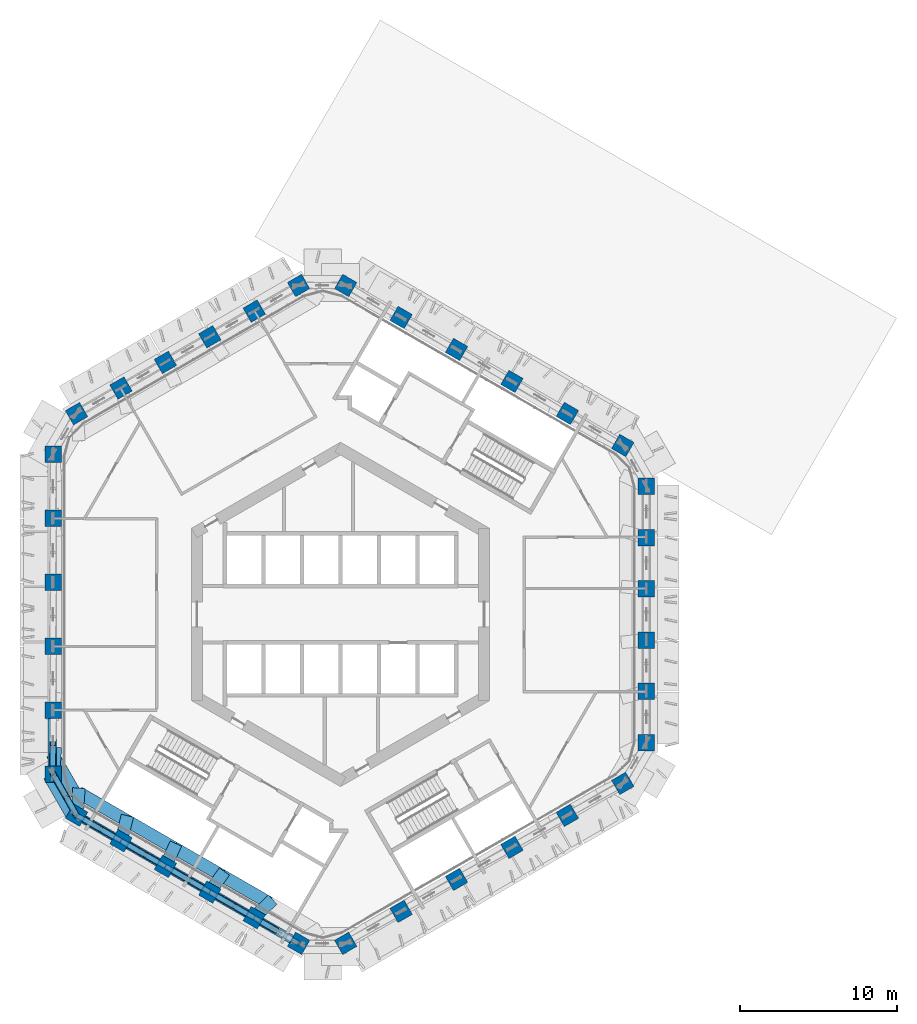
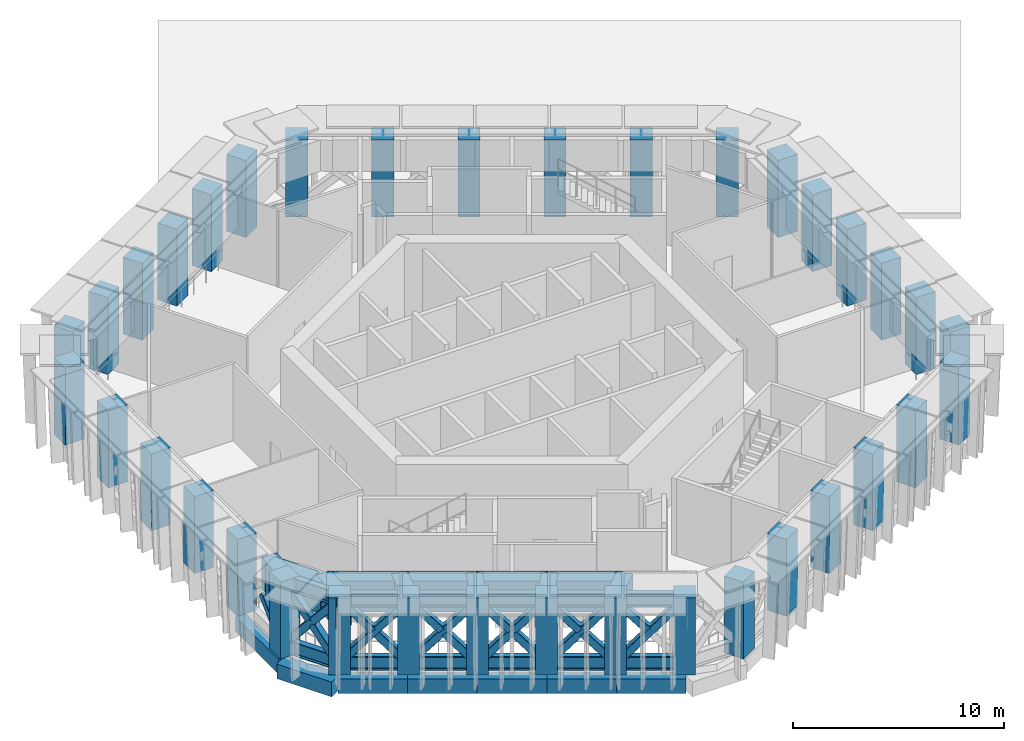
# One storey, part 1 of 18: 36 columns, 30 members, 18 beams.
"""IFC4 building model written with IfcOpenShell, lengths in metres."""

from ifc_helpers import new_model, si_unit, direction, frame, origin, origin_2d, place, context, subcontext, project, spatial, rectangle, hollow_rectangle, i_section, extrude, material, material_profile, profile_set, type_object, element, save


model = new_model("IFC4")

# Units and contexts
model_context = context("Model", 3, precision=1e-05, world=origin(), true_north=direction((0.0, 1.0)))
body_context = subcontext(model_context, "Body", "Model", "MODEL_VIEW")
ifc_project = project(units=[si_unit("LENGTHUNIT", "METRE"), si_unit("AREAUNIT", "SQUARE_METRE"), si_unit("VOLUMEUNIT", "CUBIC_METRE"), si_unit("PLANEANGLEUNIT", "RADIAN"), si_unit("MASSUNIT", "GRAM", prefix="KILO")], contexts=[model_context])

# Site, building, storey
site_placement = place(None, origin())
site = spatial("IfcSite", under=ifc_project, at=site_placement, CompositionType="ELEMENT")
building_placement = place(site_placement, origin())
building = spatial("IfcBuilding", under=site, at=building_placement, Name="Ayvan Gate Tower", CompositionType="ELEMENT")
storey_placement = place(building_placement, frame((0.0, 0.0, 147.89990234375)))
storey = spatial("IfcBuildingStorey", under=building, at=storey_placement, Name="L39", CompositionType="ELEMENT", Elevation=147.89990234375)

# Columns
ifc_material_1 = material(Name="Concrete C60/75", Category="concrete")
ifc_material_profile_1 = material_profile(ifc_material_1, rectangle(XDim=1.050048828125, YDim=1.050048828125, at=origin_2d()), Name="RC 1050x1050")
ifc_profile_set_1 = profile_set([ifc_material_profile_1], Name="Concrete C60/75")
column_type = type_object("IfcColumnType", Name="Tube column RC 1050x1050 C60/75", PredefinedType="COLUMN", material=ifc_profile_set_1)
for number, where, z_axis, x_axis, name in (
    (1, (19.485595703125, -8.1669921875, 0.0), (0.0, 0.0, 1.0), (1.0, 0.0, 0.0), "C-T0-0-L39"),
    (2, (19.485595703125, -4.900146484375, 0.0), (0.0, 0.0, 1.0), (1.0, 0.0, 0.0), "C-T0-1-L39"),
    (3, (19.485595703125, -1.63330078125, 0.0), (0.0, 0.0, 1.0), (1.0, 0.0, 0.0), "C-T0-2-L39"),
    (4, (19.485595703125, 1.63330078125, 0.0), (0.0, 0.0, 1.0), (1.0, 0.0, 0.0), "C-T0-3-L39"),
    (5, (19.485595703125, 4.900146484375, 0.0), (0.0, 0.0, 1.0), (1.0, 0.0, 0.0), "C-T0-4-L39"),
    (6, (19.485595703125, 8.1669921875, 0.0), (0.0, 0.0, 1.0), (1.0, 0.0, 0.0), "C-T0-5-L39"),
    (7, (17.985595703125, 10.76513671875, 0.0), (0.0, 0.0, 1.0), (0.5, 0.866025403784, 0.0), "C-T1-0-L39"),
    (8, (14.45458984375, 12.8037109375, 0.0), (0.0, 0.0, 1.0), (0.5, 0.866025403784, 0.0), "C-T1-1-L39"),
    (9, (10.92333984375, 14.842529296875, 0.0), (0.0, 0.0, 1.0), (0.5, 0.866025403784, 0.0), "C-T1-2-L39"),
    (10, (7.392333984375, 16.881103515625, 0.0), (0.0, 0.0, 1.0), (0.5, 0.866025403784, 0.0), "C-T1-3-L39"),
    (11, (3.861083984375, 18.919921875, 0.0), (0.0, 0.0, 1.0), (0.5, 0.866025403784, 0.0), "C-T1-4-L39"),
    (12, (0.330078125, 20.95849609375, 0.0), (0.0, 0.0, 1.0), (0.5, 0.866025403784, 0.0), "C-T1-5-L39"),
    (13, (-2.669921875, 20.95849609375, 0.0), (0.0, 0.0, 1.0), (-0.5, 0.866025403784, 0.0), "C-T2-0-L39"),
    (14, (-5.4990234375, 19.3251953125, 0.0), (0.0, 0.0, 1.0), (-0.5, 0.866025403784, 0.0), "C-T2-1-L39"),
    (15, (-8.328125, 17.691650390625, 0.0), (0.0, 0.0, 1.0), (-0.5, 0.866025403784, 0.0), "C-T2-2-L39"),
    (16, (-11.157470703125, 16.058349609375, 0.0), (0.0, 0.0, 1.0), (-0.5, 0.866025403784, 0.0), "C-T2-3-L39"),
    (17, (-13.986572265625, 14.4248046875, 0.0), (0.0, 0.0, 1.0), (-0.5, 0.866025403784, 0.0), "C-T2-4-L39"),
    (18, (-16.815673828125, 12.79150390625, 0.0), (0.0, 0.0, 1.0), (-0.5, 0.866025403784, 0.0), "C-T2-5-L39"),
    (19, (-18.315673828125, 10.193359375, 0.0), (0.0, 0.0, 1.0), (-1.0, 0.0, 0.0), "C-T3-0-L39"),
    (20, (-18.315673828125, 6.115966796875, 0.0), (0.0, 0.0, 1.0), (-1.0, 0.0, 0.0), "C-T3-1-L39"),
    (21, (-18.315673828125, 2.03857421875, 0.0), (0.0, 0.0, 1.0), (-1.0, 0.0, 0.0), "C-T3-2-L39"),
    (22, (-18.315673828125, -2.03857421875, 0.0), (0.0, 0.0, 1.0), (-1.0, 0.0, 0.0), "C-T3-3-L39"),
    (23, (-18.315673828125, -6.115966796875, 0.0), (0.0, 0.0, 1.0), (-1.0, 0.0, 0.0), "C-T3-4-L39"),
    (24, (-18.315673828125, -10.193359375, 0.0), (0.0, 0.0, 1.0), (-1.0, 0.0, 0.0), "C-T3-5-L39"),
    (25, (-16.815673828125, -12.79150390625, 0.0), (0.0, 0.0, 1.0), (-0.5, -0.866025403784, 0.0), "C-T4-0-L39"),
    (26, (-13.986572265625, -14.4248046875, 0.0), (0.0, 0.0, 1.0), (-0.5, -0.866025403784, 0.0), "C-T4-1-L39"),
    (27, (-11.157470703125, -16.058349609375, 0.0), (0.0, 0.0, 1.0), (-0.5, -0.866025403784, 0.0), "C-T4-2-L39"),
    (28, (-8.328125, -17.691650390625, 0.0), (0.0, 0.0, 1.0), (-0.5, -0.866025403784, 0.0), "C-T4-3-L39"),
    (29, (-5.4990234375, -19.3251953125, 0.0), (0.0, 0.0, 1.0), (-0.5, -0.866025403784, 0.0), "C-T4-4-L39"),
    (30, (-2.669921875, -20.95849609375, 0.0), (0.0, 0.0, 1.0), (-0.5, -0.866025403784, 0.0), "C-T4-5-L39"),
    (31, (0.330078125, -20.95849609375, 0.0), (0.0, 0.0, 1.0), (0.5, -0.866025403784, 0.0), "C-T5-0-L39"),
    (32, (3.861083984375, -18.919921875, 0.0), (0.0, 0.0, 1.0), (0.5, -0.866025403784, 0.0), "C-T5-1-L39"),
    (33, (7.392333984375, -16.881103515625, 0.0), (0.0, 0.0, 1.0), (0.5, -0.866025403784, 0.0), "C-T5-2-L39"),
    (34, (10.92333984375, -14.842529296875, 0.0), (0.0, 0.0, 1.0), (0.5, -0.866025403784, 0.0), "C-T5-3-L39"),
    (35, (14.45458984375, -12.8037109375, 0.0), (0.0, 0.0, 1.0), (0.5, -0.866025403784, 0.0), "C-T5-4-L39"),
    (36, (17.985595703125, -10.76513671875, 0.0), (0.0, 0.0, 1.0), (0.5, -0.866025403784, 0.0), "C-T5-5-L39"),
):
    element("IfcColumn", number, at=place(storey_placement, frame(where, z_axis=z_axis, x_axis=x_axis)), inside=storey, type_object=column_type, Name=name, PredefinedType="COLUMN", context=body_context, shape_type="SweptSolid", body=[
        extrude(rectangle(XDim=1.050048828125, YDim=1.050048828125, at=origin_2d()), origin(), (0.0, 0.0, 1.0), 4.4501953125),
    ])

# Members
ifc_material_2 = material(Name="Steel S460NH", Category="steel")
ifc_material_profile_2 = material_profile(ifc_material_2, hollow_rectangle(XDim=0.39990234375, YDim=0.39990234375, WallThickness=0.02001953125, InnerFilletRadius=0.02001953125, OuterFilletRadius=0.030029296875, at=origin_2d()), Name="RHS 400x400x20")
ifc_profile_set_2 = profile_set([ifc_material_profile_2], Name="Steel S460NH")
member_type_1 = type_object("IfcMemberType", Name="Belt truss brace BT2 RHS 400x400x20", PredefinedType="BRACE", material=ifc_profile_set_2)
member_1_placement = place(storey_placement, frame((-18.347412109375, -10.175048828125, 0.400146484375), z_axis=(0.011651317823, 0.742608392765, 0.669624537922), x_axis=(-0.999876939061, 0.015687789304, 0.0)))
element("IfcMember", 37, at=member_1_placement, inside=storey, type_object=member_type_1, Name="BT2-DB-23", PredefinedType="BRACE", context=body_context, shape_type="SweptSolid", body=[
    extrude(hollow_rectangle(XDim=0.39990234375, YDim=0.39990234375, WallThickness=0.02001953125, InnerFilletRadius=0.02001953125, OuterFilletRadius=0.030029296875, at=origin_2d()), origin(), (0.0, 0.0, 1.0), 2.619140625),
])
member_2_placement = place(storey_placement, frame((-18.347412109375, -10.175048828125, 0.400146484375), z_axis=(0.32814076495, -0.552895415353, 0.76591794473), x_axis=(0.859950924847, 0.510376730323, 0.0)))
element("IfcMember", 38, at=member_2_placement, inside=storey, type_object=member_type_1, Name="BT2-DA-24", PredefinedType="BRACE", context=body_context, shape_type="SweptSolid", body=[
    extrude(hollow_rectangle(XDim=0.39990234375, YDim=0.39990234375, WallThickness=0.02001953125, InnerFilletRadius=0.02001953125, OuterFilletRadius=0.030029296875, at=origin_2d()), origin(), (0.0, 0.0, 1.0), 4.765380859375),
])
member_3_placement = place(storey_placement, frame((-16.847412109375, -12.773193359375, 0.400146484375), z_axis=(-0.306580036, 0.546739850753, 0.779156092914), x_axis=(-0.872229945423, -0.48909602565, 0.0)))
element("IfcMember", 39, at=member_3_placement, inside=storey, type_object=member_type_1, Name="BT2-DB-24", PredefinedType="BRACE", context=body_context, shape_type="SweptSolid", body=[
    extrude(hollow_rectangle(XDim=0.39990234375, YDim=0.39990234375, WallThickness=0.02001953125, InnerFilletRadius=0.02001953125, OuterFilletRadius=0.030029296875, at=origin_2d()), origin(), (0.0, 0.0, 1.0), 2.238525390625),
])
member_4_placement = place(storey_placement, frame((-17.597412109375, -11.435546875, 2.305908203125), z_axis=(-0.306598317134, 0.546663381529, 0.7792025534), x_axis=(-0.87218831408, -0.489170261548, 0.0)))
element("IfcMember", 40, at=member_4_placement, inside=storey, type_object=member_type_1, Name="BT2-DC-24", PredefinedType="BRACE", context=body_context, shape_type="SweptSolid", body=[
    extrude(hollow_rectangle(XDim=0.39990234375, YDim=0.39990234375, WallThickness=0.02001953125, InnerFilletRadius=0.02001953125, OuterFilletRadius=0.030029296875, at=origin_2d()), origin(), (0.0, 0.0, 1.0), 2.23828125),
])
member_5_placement = place(storey_placement, frame((-16.847412109375, -12.773193359375, 0.400146484375), z_axis=(0.583280306316, -0.33675698621, 0.739174415481), x_axis=(0.499999938025, 0.866025439566, 0.0)))
element("IfcMember", 41, at=member_5_placement, inside=storey, type_object=member_type_1, Name="BT2-DA-25", PredefinedType="BRACE", context=body_context, shape_type="SweptSolid", body=[
    extrude(hollow_rectangle(XDim=0.39990234375, YDim=0.39990234375, WallThickness=0.02001953125, InnerFilletRadius=0.02001953125, OuterFilletRadius=0.030029296875, at=origin_2d()), origin(), (0.0, 0.0, 1.0), 4.937744140625),
])
member_6_placement = place(storey_placement, frame((-14.005615234375, -14.413818359375, 0.400146484375), z_axis=(-0.571712069302, 0.330106841037, 0.751115692363), x_axis=(-0.500032632036, -0.86600656285, 0.0)))
element("IfcMember", 42, at=member_6_placement, inside=storey, type_object=member_type_1, Name="BT2-DB-25", PredefinedType="BRACE", context=body_context, shape_type="SweptSolid", body=[
    extrude(hollow_rectangle(XDim=0.39990234375, YDim=0.39990234375, WallThickness=0.02001953125, InnerFilletRadius=0.02001953125, OuterFilletRadius=0.030029296875, at=origin_2d()), origin(), (0.0, 0.0, 1.0), 2.33935546875),
])
member_7_placement = place(storey_placement, frame((-15.458740234375, -13.574951171875, 2.309326171875), z_axis=(-0.571702999956, 0.330148738136, 0.751104180889), x_axis=(-0.500086174919, -0.865975644955, 0.0)))
element("IfcMember", 43, at=member_7_placement, inside=storey, type_object=member_type_1, Name="BT2-DC-25", PredefinedType="BRACE", context=body_context, shape_type="SweptSolid", body=[
    extrude(hollow_rectangle(XDim=0.39990234375, YDim=0.39990234375, WallThickness=0.02001953125, InnerFilletRadius=0.02001953125, OuterFilletRadius=0.030029296875, at=origin_2d()), origin(), (0.0, 0.0, 1.0), 2.317626953125),
])
member_8_placement = place(storey_placement, frame((-14.005615234375, -14.413818359375, 0.400146484375), z_axis=(0.580453436308, -0.335127097282, 0.742134514051), x_axis=(0.50000240534, 0.866024015056, 0.0)))
element("IfcMember", 44, at=member_8_placement, inside=storey, type_object=member_type_1, Name="BT2-DA-26", PredefinedType="BRACE", context=body_context, shape_type="SweptSolid", body=[
    extrude(hollow_rectangle(XDim=0.39990234375, YDim=0.39990234375, WallThickness=0.02001953125, InnerFilletRadius=0.02001953125, OuterFilletRadius=0.030029296875, at=origin_2d()), origin(), (0.0, 0.0, 1.0), 4.918212890625),
])
member_9_placement = place(storey_placement, frame((-11.163818359375, -16.0546875, 0.400146484375), z_axis=(-0.574641112672, 0.331855502399, 0.748103948094), x_axis=(-0.500097537186, -0.86596908334, 0.0)))
element("IfcMember", 45, at=member_9_placement, inside=storey, type_object=member_type_1, Name="BT2-DB-26", PredefinedType="BRACE", context=body_context, shape_type="SweptSolid", body=[
    extrude(hollow_rectangle(XDim=0.39990234375, YDim=0.39990234375, WallThickness=0.02001953125, InnerFilletRadius=0.02001953125, OuterFilletRadius=0.030029296875, at=origin_2d()), origin(), (0.0, 0.0, 1.0), 2.34912109375),
])
member_10_placement = place(storey_placement, frame((-12.630126953125, -15.2080078125, 2.30908203125), z_axis=(-0.574629084155, 0.331746789136, 0.748161402065), x_axis=(-0.499982516597, -0.866035497597, 0.0)))
element("IfcMember", 46, at=member_10_placement, inside=storey, type_object=member_type_1, Name="BT2-DC-26", PredefinedType="BRACE", context=body_context, shape_type="SweptSolid", body=[
    extrude(hollow_rectangle(XDim=0.39990234375, YDim=0.39990234375, WallThickness=0.02001953125, InnerFilletRadius=0.02001953125, OuterFilletRadius=0.030029296875, at=origin_2d()), origin(), (0.0, 0.0, 1.0), 2.326904296875),
])
member_11_placement = place(storey_placement, frame((-11.163818359375, -16.0546875, 0.400146484375), z_axis=(0.577602087149, -0.333433252483, 0.745116162125), x_axis=(0.499948868167, 0.866054922749, 0.0)))
element("IfcMember", 47, at=member_11_placement, inside=storey, type_object=member_type_1, Name="BT2-DA-27", PredefinedType="BRACE", context=body_context, shape_type="SweptSolid", body=[
    extrude(hollow_rectangle(XDim=0.39990234375, YDim=0.39990234375, WallThickness=0.02001953125, InnerFilletRadius=0.02001953125, OuterFilletRadius=0.030029296875, at=origin_2d()), origin(), (0.0, 0.0, 1.0), 4.8984375),
])
member_12_placement = place(storey_placement, frame((-8.32177734375, -17.6953125, 0.400146484375), z_axis=(-0.577578514298, 0.33344525588, 0.74512906342), x_axis=(-0.499977671647, -0.866038294681, 0.0)))
element("IfcMember", 48, at=member_12_placement, inside=storey, type_object=member_type_1, Name="BT2-DB-27", PredefinedType="BRACE", context=body_context, shape_type="SweptSolid", body=[
    extrude(hollow_rectangle(XDim=0.39990234375, YDim=0.39990234375, WallThickness=0.02001953125, InnerFilletRadius=0.02001953125, OuterFilletRadius=0.030029296875, at=origin_2d()), origin(), (0.0, 0.0, 1.0), 2.359130859375),
])
member_13_placement = place(storey_placement, frame((-9.80126953125, -16.84130859375, 2.308837890625), z_axis=(-0.577549631669, 0.33349103189, 0.745130964736), x_axis=(-0.500047902311, -0.865997745606, 0.0)))
element("IfcMember", 49, at=member_13_placement, inside=storey, type_object=member_type_1, Name="BT2-DC-27", PredefinedType="BRACE", context=body_context, shape_type="SweptSolid", body=[
    extrude(hollow_rectangle(XDim=0.39990234375, YDim=0.39990234375, WallThickness=0.02001953125, InnerFilletRadius=0.02001953125, OuterFilletRadius=0.030029296875, at=origin_2d()), origin(), (0.0, 0.0, 1.0), 2.336669921875),
])
member_14_placement = place(storey_placement, frame((-8.32177734375, -17.6953125, 0.400146484375), z_axis=(0.574673110491, -0.331773138502, 0.748115900544), x_axis=(0.499983569942, 0.866034889475, 0.0)))
element("IfcMember", 50, at=member_14_placement, inside=storey, type_object=member_type_1, Name="BT2-DA-28", PredefinedType="BRACE", context=body_context, shape_type="SweptSolid", body=[
    extrude(hollow_rectangle(XDim=0.39990234375, YDim=0.39990234375, WallThickness=0.02001953125, InnerFilletRadius=0.02001953125, OuterFilletRadius=0.030029296875, at=origin_2d()), origin(), (0.0, 0.0, 1.0), 4.87890625),
])
member_15_placement = place(storey_placement, frame((-5.47998046875, -19.336181640625, 0.400146484375), z_axis=(-0.580435587012, 0.335152082557, 0.742137191419), x_axis=(-0.500041894521, -0.86600121462, 0.0)))
element("IfcMember", 51, at=member_15_placement, inside=storey, type_object=member_type_1, Name="BT2-DB-28", PredefinedType="BRACE", context=body_context, shape_type="SweptSolid", body=[
    extrude(hollow_rectangle(XDim=0.39990234375, YDim=0.39990234375, WallThickness=0.02001953125, InnerFilletRadius=0.02001953125, OuterFilletRadius=0.030029296875, at=origin_2d()), origin(), (0.0, 0.0, 1.0), 2.368896484375),
])
member_16_placement = place(storey_placement, frame((-6.972412109375, -18.474365234375, 2.308349609375), z_axis=(-0.580409333172, 0.335095619672, 0.742183219726), x_axis=(-0.499995674689, -0.86602790099, 0.0)))
element("IfcMember", 52, at=member_16_placement, inside=storey, type_object=member_type_1, Name="BT2-DC-28", PredefinedType="BRACE", context=body_context, shape_type="SweptSolid", body=[
    extrude(hollow_rectangle(XDim=0.39990234375, YDim=0.39990234375, WallThickness=0.02001953125, InnerFilletRadius=0.02001953125, OuterFilletRadius=0.030029296875, at=origin_2d()), origin(), (0.0, 0.0, 1.0), 2.3466796875),
])
member_17_placement = place(storey_placement, frame((-5.47998046875, -19.336181640625, 0.400146484375), z_axis=(0.571742508408, -0.330083328668, 0.751102855949), x_axis=(0.499985955615, 0.866033512162, 0.0)))
element("IfcMember", 53, at=member_17_placement, inside=storey, type_object=member_type_1, Name="BT2-DA-29", PredefinedType="BRACE", context=body_context, shape_type="SweptSolid", body=[
    extrude(hollow_rectangle(XDim=0.39990234375, YDim=0.39990234375, WallThickness=0.02001953125, InnerFilletRadius=0.02001953125, OuterFilletRadius=0.030029296875, at=origin_2d()), origin(), (0.0, 0.0, 1.0), 4.859375),
])
member_18_placement = place(storey_placement, frame((-4.1435546875, -20.107666015625, 2.30810546875), z_axis=(-0.583258035882, 0.336797846297, 0.739173372294), x_axis=(-0.500059755004, -0.865990901468, 0.0)))
element("IfcMember", 54, at=member_18_placement, inside=storey, type_object=member_type_1, Name="BT2-DC-29", PredefinedType="BRACE", context=body_context, shape_type="SweptSolid", body=[
    extrude(hollow_rectangle(XDim=0.39990234375, YDim=0.39990234375, WallThickness=0.02001953125, InnerFilletRadius=0.02001953125, OuterFilletRadius=0.030029296875, at=origin_2d()), origin(), (0.0, 0.0, 1.0), 2.356689453125),
])
ifc_material_3 = material(Name="Steel S460ML", Category="steel")
ifc_material_profile_3 = material_profile(ifc_material_3, i_section(OverallWidth=0.300048828125, OverallDepth=0.800048828125, WebThickness=0.017578125, FlangeThickness=0.032958984375, FilletRadius=0.030029296875, at=origin_2d()), Name="HE 800 B")
ifc_profile_set_3 = profile_set([ifc_material_profile_3], Name="Steel S460ML")
member_type_2 = type_object("IfcMemberType", Name="Belt truss chord BT2 HE 800 B", PredefinedType="CHORD", material=ifc_profile_set_3)
member_19_placement = place(storey_placement, frame((-18.347412109375, -10.175048828125, 0.400146484375), z_axis=(0.499990139034, -0.866031096941, 0.0), x_axis=(0.866031096941, 0.499990139034, 0.0)))
element("IfcMember", 55, at=member_19_placement, inside=storey, type_object=member_type_2, Name="BT2-BC-24", PredefinedType="CHORD", context=body_context, shape_type="SweptSolid", body=[
    extrude(i_section(OverallWidth=0.300048828125, OverallDepth=0.800048828125, WebThickness=0.017578125, FlangeThickness=0.032958984375, FilletRadius=0.030029296875, at=origin_2d()), origin(), (0.0, 0.0, 1.0), 3.0),
])
member_20_placement = place(storey_placement, frame((-18.28369140625, -10.2119140625, 4.050048828125), z_axis=(0.50002537861, -0.866010750942, 0.0), x_axis=(0.866010750942, 0.50002537861, 0.0)))
element("IfcMember", 56, at=member_20_placement, inside=storey, type_object=member_type_2, Name="BT2-TC-24", PredefinedType="CHORD", context=body_context, shape_type="SweptSolid", body=[
    extrude(i_section(OverallWidth=0.300048828125, OverallDepth=0.800048828125, WebThickness=0.017578125, FlangeThickness=0.032958984375, FilletRadius=0.030029296875, at=origin_2d()), origin(), (0.0, 0.0, 1.0), 2.999755859375),
])
member_21_placement = place(storey_placement, frame((-16.847412109375, -12.773193359375, 0.400146484375), z_axis=(0.866036909293, -0.499980071345, 0.0), x_axis=(0.499980071345, 0.866036909293, 0.0)))
element("IfcMember", 57, at=member_21_placement, inside=storey, type_object=member_type_2, Name="BT2-BC-25", PredefinedType="CHORD", context=body_context, shape_type="SweptSolid", body=[
    extrude(i_section(OverallWidth=0.300048828125, OverallDepth=0.800048828125, WebThickness=0.017578125, FlangeThickness=0.032958984375, FilletRadius=0.030029296875, at=origin_2d()), origin(), (0.0, 0.0, 1.0), 3.281494140625),
])
member_22_placement = place(storey_placement, frame((-16.78369140625, -12.809814453125, 4.050048828125), z_axis=(0.866003061655, -0.500038695707, 0.0), x_axis=(0.500038695707, 0.866003061655, 0.0)))
element("IfcMember", 58, at=member_22_placement, inside=storey, type_object=member_type_2, Name="BT2-TC-25", PredefinedType="CHORD", context=body_context, shape_type="SweptSolid", body=[
    extrude(i_section(OverallWidth=0.300048828125, OverallDepth=0.800048828125, WebThickness=0.017578125, FlangeThickness=0.032958984375, FilletRadius=0.030029296875, at=origin_2d()), origin(), (0.0, 0.0, 1.0), 3.252197265625),
])
member_23_placement = place(storey_placement, frame((-14.005615234375, -14.413818359375, 0.400146484375), z_axis=(0.866004692627, -0.500035871061, 0.0), x_axis=(0.500035871061, 0.866004692627, 0.0)))
element("IfcMember", 59, at=member_23_placement, inside=storey, type_object=member_type_2, Name="BT2-BC-26", PredefinedType="CHORD", context=body_context, shape_type="SweptSolid", body=[
    extrude(i_section(OverallWidth=0.300048828125, OverallDepth=0.800048828125, WebThickness=0.017578125, FlangeThickness=0.032958984375, FilletRadius=0.030029296875, at=origin_2d()), origin(), (0.0, 0.0, 1.0), 3.281494140625),
])
member_24_placement = place(storey_placement, frame((-13.96728515625, -14.43603515625, 4.050048828125), z_axis=(0.866035568818, -0.499982393232, 0.0), x_axis=(0.499982393232, 0.866035568818, 0.0)))
element("IfcMember", 60, at=member_24_placement, inside=storey, type_object=member_type_2, Name="BT2-TC-26", PredefinedType="CHORD", context=body_context, shape_type="SweptSolid", body=[
    extrude(i_section(OverallWidth=0.300048828125, OverallDepth=0.800048828125, WebThickness=0.017578125, FlangeThickness=0.032958984375, FilletRadius=0.030029296875, at=origin_2d()), origin(), (0.0, 0.0, 1.0), 3.251953125),
])
member_25_placement = place(storey_placement, frame((-11.163818359375, -16.0546875, 0.400146484375), z_axis=(0.866055506462, -0.499947857008, 0.0), x_axis=(0.499947857008, 0.866055506462, 0.0)))
element("IfcMember", 61, at=member_25_placement, inside=storey, type_object=member_type_2, Name="BT2-BC-27", PredefinedType="CHORD", context=body_context, shape_type="SweptSolid", body=[
    extrude(i_section(OverallWidth=0.300048828125, OverallDepth=0.800048828125, WebThickness=0.017578125, FlangeThickness=0.032958984375, FilletRadius=0.030029296875, at=origin_2d()), origin(), (0.0, 0.0, 1.0), 3.281494140625),
])
member_26_placement = place(storey_placement, frame((-11.15087890625, -16.06201171875, 4.050048828125), z_axis=(0.866035568818, -0.499982393232, 0.0), x_axis=(0.499982393232, 0.866035568818, 0.0)))
element("IfcMember", 62, at=member_26_placement, inside=storey, type_object=member_type_2, Name="BT2-TC-27", PredefinedType="CHORD", context=body_context, shape_type="SweptSolid", body=[
    extrude(i_section(OverallWidth=0.300048828125, OverallDepth=0.800048828125, WebThickness=0.017578125, FlangeThickness=0.032958984375, FilletRadius=0.030029296875, at=origin_2d()), origin(), (0.0, 0.0, 1.0), 3.251953125),
])
member_27_placement = place(storey_placement, frame((-8.32177734375, -17.6953125, 0.400146484375), z_axis=(0.866004692627, -0.500035871061, 0.0), x_axis=(0.500035871061, 0.866004692627, 0.0)))
element("IfcMember", 63, at=member_27_placement, inside=storey, type_object=member_type_2, Name="BT2-BC-28", PredefinedType="CHORD", context=body_context, shape_type="SweptSolid", body=[
    extrude(i_section(OverallWidth=0.300048828125, OverallDepth=0.800048828125, WebThickness=0.017578125, FlangeThickness=0.032958984375, FilletRadius=0.030029296875, at=origin_2d()), origin(), (0.0, 0.0, 1.0), 3.281494140625),
])
member_28_placement = place(storey_placement, frame((-8.33447265625, -17.68798828125, 4.050048828125), z_axis=(0.866035568818, -0.499982393232, 0.0), x_axis=(0.499982393232, 0.866035568818, 0.0)))
element("IfcMember", 64, at=member_28_placement, inside=storey, type_object=member_type_2, Name="BT2-TC-28", PredefinedType="CHORD", context=body_context, shape_type="SweptSolid", body=[
    extrude(i_section(OverallWidth=0.300048828125, OverallDepth=0.800048828125, WebThickness=0.017578125, FlangeThickness=0.032958984375, FilletRadius=0.030029296875, at=origin_2d()), origin(), (0.0, 0.0, 1.0), 3.251953125),
])
member_29_placement = place(storey_placement, frame((-5.47998046875, -19.336181640625, 0.400146484375), z_axis=(0.866036909293, -0.499980071345, 0.0), x_axis=(0.499980071345, 0.866036909293, 0.0)))
element("IfcMember", 65, at=member_29_placement, inside=storey, type_object=member_type_2, Name="BT2-BC-29", PredefinedType="CHORD", context=body_context, shape_type="SweptSolid", body=[
    extrude(i_section(OverallWidth=0.300048828125, OverallDepth=0.800048828125, WebThickness=0.017578125, FlangeThickness=0.032958984375, FilletRadius=0.030029296875, at=origin_2d()), origin(), (0.0, 0.0, 1.0), 3.281494140625),
])
member_30_placement = place(storey_placement, frame((-5.51806640625, -19.31396484375, 4.050048828125), z_axis=(0.866003061655, -0.500038695707, 0.0), x_axis=(0.500038695707, 0.866003061655, 0.0)))
element("IfcMember", 66, at=member_30_placement, inside=storey, type_object=member_type_2, Name="BT2-TC-29", PredefinedType="CHORD", context=body_context, shape_type="SweptSolid", body=[
    extrude(i_section(OverallWidth=0.300048828125, OverallDepth=0.800048828125, WebThickness=0.017578125, FlangeThickness=0.032958984375, FilletRadius=0.030029296875, at=origin_2d()), origin(), (0.0, 0.0, 1.0), 3.252197265625),
])

# Beams
ifc_material_4 = material(Name="Concrete C40/50", Category="concrete")
ifc_material_profile_4 = material_profile(ifc_material_4, rectangle(XDim=0.800048828125, YDim=0.85009765625, at=origin_2d()), Name="RC 800x850")
ifc_profile_set_4 = profile_set([ifc_material_profile_4], Name="Concrete C40/50")
beam_type_1 = type_object("IfcBeamType", Name="Corner spandrel beam RC 800x850 C40/50", PredefinedType="BEAM", material=ifc_profile_set_4)
beam_1_placement = place(storey_placement, frame((-18.559326171875, -10.272705078125, -0.824951171875), z_axis=(0.499990139034, -0.866031096941, 0.0), x_axis=(0.866031096941, 0.499990139034, 0.0)))
element("IfcBeam", 67, at=beam_1_placement, inside=storey, type_object=beam_type_1, Name="SB-L39-24", PredefinedType="BEAM", context=body_context, shape_type="SweptSolid", body=[
    extrude(rectangle(XDim=0.800048828125, YDim=0.85009765625, at=origin_2d()), origin(), (0.0, 0.0, 1.0), 3.0),
])
ifc_material_profile_5 = material_profile(ifc_material_4, rectangle(XDim=0.550048828125, YDim=0.85009765625, at=origin_2d()), Name="RC 550x850")
ifc_profile_set_5 = profile_set([ifc_material_profile_5], Name="Concrete C40/50")
beam_type_2 = type_object("IfcBeamType", Name="Spandrel beam RC 550x850 C40/50", PredefinedType="BEAM", material=ifc_profile_set_5)
beam_2_placement = place(storey_placement, frame((-18.368896484375, -6.09765625, -0.824951171875), z_axis=(0.0, -1.0, 0.0), x_axis=(1.0, 0.0, 0.0)))
element("IfcBeam", 68, at=beam_2_placement, inside=storey, type_object=beam_type_2, Name="SB-L39-23", PredefinedType="BEAM", context=body_context, shape_type="SweptSolid", body=[
    extrude(rectangle(XDim=0.550048828125, YDim=0.85009765625, at=origin_2d()), origin(), (0.0, 0.0, 1.0), 4.06494140625),
])
beam_3_placement = place(storey_placement, frame((-16.868896484375, -12.7607421875, -0.824951171875), z_axis=(0.866011412005, -0.50002423369, 0.0), x_axis=(0.50002423369, 0.866011412005, 0.0)))
element("IfcBeam", 69, at=beam_3_placement, inside=storey, type_object=beam_type_2, Name="SB-L39-25", PredefinedType="BEAM", context=body_context, shape_type="SweptSolid", body=[
    extrude(rectangle(XDim=0.550048828125, YDim=0.85009765625, at=origin_2d()), origin(), (0.0, 0.0, 1.0), 3.291259765625),
])
beam_4_placement = place(storey_placement, frame((-14.0185546875, -14.406494140625, -0.824951171875), z_axis=(0.866029956157, -0.499992114976, 0.0), x_axis=(0.499992114976, 0.866029956157, 0.0)))
element("IfcBeam", 70, at=beam_4_placement, inside=storey, type_object=beam_type_2, Name="SB-L39-26", PredefinedType="BEAM", context=body_context, shape_type="SweptSolid", body=[
    extrude(rectangle(XDim=0.550048828125, YDim=0.85009765625, at=origin_2d()), origin(), (0.0, 0.0, 1.0), 3.29150390625),
])
beam_5_placement = place(storey_placement, frame((-11.16796875, -16.05224609375, -0.824951171875), z_axis=(0.866043531843, -0.499968599967, 0.0), x_axis=(0.499968599967, 0.866043531843, 0.0)))
element("IfcBeam", 71, at=beam_5_placement, inside=storey, type_object=beam_type_2, Name="SB-L39-27", PredefinedType="BEAM", context=body_context, shape_type="SweptSolid", body=[
    extrude(rectangle(XDim=0.550048828125, YDim=0.85009765625, at=origin_2d()), origin(), (0.0, 0.0, 1.0), 3.291259765625),
])
beam_6_placement = place(storey_placement, frame((-8.317626953125, -17.69775390625, -0.824951171875), z_axis=(0.866029956157, -0.499992114976, 0.0), x_axis=(0.499992114976, 0.866029956157, 0.0)))
element("IfcBeam", 72, at=beam_6_placement, inside=storey, type_object=beam_type_2, Name="SB-L39-28", PredefinedType="BEAM", context=body_context, shape_type="SweptSolid", body=[
    extrude(rectangle(XDim=0.550048828125, YDim=0.85009765625, at=origin_2d()), origin(), (0.0, 0.0, 1.0), 3.29150390625),
])
beam_7_placement = place(storey_placement, frame((-5.467041015625, -19.343505859375, -0.824951171875), z_axis=(0.866011412005, -0.50002423369, 0.0), x_axis=(0.50002423369, 0.866011412005, 0.0)))
element("IfcBeam", 73, at=beam_7_placement, inside=storey, type_object=beam_type_2, Name="SB-L39-29", PredefinedType="BEAM", context=body_context, shape_type="SweptSolid", body=[
    extrude(rectangle(XDim=0.550048828125, YDim=0.85009765625, at=origin_2d()), origin(), (0.0, 0.0, 1.0), 3.291259765625),
])
ifc_material_profile_6 = material_profile(ifc_material_3, hollow_rectangle(XDim=0.800048828125, YDim=1.800048828125, WallThickness=0.050048828125, at=origin_2d()), Name="BOX 800x1800x50")
ifc_profile_set_6 = profile_set([ifc_material_profile_6], Name="Steel S460ML")
beam_type_3 = type_object("IfcBeamType", Name="Transfer ring girder BOX 800x1800x50", PredefinedType="BEAM", material=ifc_profile_set_6)
beam_8_placement = place(storey_placement, frame((-18.376953125, -8.8779296875, 3.550048828125), z_axis=(0.499990139034, -0.866031096941, 0.0), x_axis=(0.866031096941, 0.499990139034, 0.0)))
element("IfcBeam", 74, at=beam_8_placement, inside=storey, type_object=beam_type_3, Name="TR-L39-24", PredefinedType="BEAM", context=body_context, shape_type="SweptSolid", body=[
    extrude(hollow_rectangle(XDim=0.800048828125, YDim=1.800048828125, WallThickness=0.050048828125, at=origin_2d()), origin(), (0.0, 0.0, 1.0), 3.0),
])
for number, where, z_axis, x_axis, name in (
    (75, (-16.6865234375, -11.365966796875, 3.550048828125), (0.866019818373, -0.500009674092, 0.0), (0.500009674092, 0.866019818373, 0.0), "TR-L39-25"),
    (76, (-13.649169921875, -13.11962890625, 3.550048828125), (0.866019818373, -0.500009674092, 0.0), (0.500009674092, 0.866019818373, 0.0), "TR-L39-26"),
):
    element("IfcBeam", number, at=place(storey_placement, frame(where, z_axis=z_axis, x_axis=x_axis)), inside=storey, type_object=beam_type_3, Name=name, PredefinedType="BEAM", context=body_context, shape_type="SweptSolid", body=[
        extrude(hollow_rectangle(XDim=0.800048828125, YDim=1.800048828125, WallThickness=0.050048828125, at=origin_2d()), origin(), (0.0, 0.0, 1.0), 3.50732421875),
    ])
beam_9_placement = place(storey_placement, frame((-10.61181640625, -14.873291015625, 3.550048828125), z_axis=(0.86603255856, -0.499987607361, 0.0), x_axis=(0.499987607361, 0.86603255856, 0.0)))
element("IfcBeam", 77, at=beam_9_placement, inside=storey, type_object=beam_type_3, Name="TR-L39-27", PredefinedType="BEAM", context=body_context, shape_type="SweptSolid", body=[
    extrude(hollow_rectangle(XDim=0.800048828125, YDim=1.800048828125, WallThickness=0.050048828125, at=origin_2d()), origin(), (0.0, 0.0, 1.0), 3.5068359375),
])
beam_10_placement = place(storey_placement, frame((-7.57470703125, -16.626708984375, 3.550048828125), z_axis=(0.866019818373, -0.500009674092, 0.0), x_axis=(0.500009674092, 0.866019818373, 0.0)))
element("IfcBeam", 78, at=beam_10_placement, inside=storey, type_object=beam_type_3, Name="TR-L39-28", PredefinedType="BEAM", context=body_context, shape_type="SweptSolid", body=[
    extrude(hollow_rectangle(XDim=0.800048828125, YDim=1.800048828125, WallThickness=0.050048828125, at=origin_2d()), origin(), (0.0, 0.0, 1.0), 3.50732421875),
])
for number, where, z_axis, x_axis, name in (
    (79, (-18.322021484375, -10.605712890625, 3.550048828125), (0.073489763689, 0.997295971431, 0.0), (-0.997295971431, 0.073489763689, 0.0), "TS-L39-T3-5"),
    (80, (-16.822021484375, -13.203857421875, 3.550048828125), (0.073489763689, 0.997295971431, 0.0), (-0.997295971431, 0.073489763689, 0.0), "TS-L39-T4-0"),
):
    element("IfcBeam", number, at=place(storey_placement, frame(where, z_axis=z_axis, x_axis=x_axis)), inside=storey, type_object=beam_type_3, Name=name, PredefinedType="BEAM", context=body_context, shape_type="SweptSolid", body=[
        extrude(hollow_rectangle(XDim=0.800048828125, YDim=1.800048828125, WallThickness=0.050048828125, at=origin_2d()), origin(), (0.0, 0.0, 1.0), 2.142822265625),
    ])
beam_11_placement = place(storey_placement, frame((-14.068359375, -14.8212890625, 3.550048828125), z_axis=(0.239203662461, 0.970969416545, 0.0), x_axis=(-0.970969416545, 0.239203662461, 0.0)))
element("IfcBeam", 81, at=beam_11_placement, inside=storey, type_object=beam_type_3, Name="TS-L39-T4-1", PredefinedType="BEAM", context=body_context, shape_type="SweptSolid", body=[
    extrude(hollow_rectangle(XDim=0.800048828125, YDim=1.800048828125, WallThickness=0.050048828125, at=origin_2d()), origin(), (0.0, 0.0, 1.0), 2.052490234375),
])
beam_12_placement = place(storey_placement, frame((-11.318603515625, -16.425048828125, 3.550048828125), z_axis=(0.41443577564, 0.910078561372, 0.0), x_axis=(-0.910078561372, 0.41443577564, 0.0)))
element("IfcBeam", 82, at=beam_12_placement, inside=storey, type_object=beam_type_3, Name="TS-L39-T4-2", PredefinedType="BEAM", context=body_context, shape_type="SweptSolid", body=[
    extrude(hollow_rectangle(XDim=0.800048828125, YDim=1.800048828125, WallThickness=0.050048828125, at=origin_2d()), origin(), (0.0, 0.0, 1.0), 2.00537109375),
])
beam_13_placement = place(storey_placement, frame((-8.565185546875, -18.0146484375, 3.550048828125), z_axis=(0.58091564934, 0.813963763537, 0.0), x_axis=(-0.813963763537, 0.58091564934, 0.0)))
element("IfcBeam", 83, at=beam_13_placement, inside=storey, type_object=beam_type_3, Name="TS-L39-T4-3", PredefinedType="BEAM", context=body_context, shape_type="SweptSolid", body=[
    extrude(hollow_rectangle(XDim=0.800048828125, YDim=1.800048828125, WallThickness=0.050048828125, at=origin_2d()), origin(), (0.0, 0.0, 1.0), 2.005126953125),
])
beam_14_placement = place(storey_placement, frame((-5.801513671875, -19.59423828125, 3.550048828125), z_axis=(0.721351668746, 0.692568964074, 0.0), x_axis=(-0.692568964074, 0.721351668746, 0.0)))
element("IfcBeam", 84, at=beam_14_placement, inside=storey, type_object=beam_type_3, Name="TS-L39-T4-4", PredefinedType="BEAM", context=body_context, shape_type="SweptSolid", body=[
    extrude(hollow_rectangle(XDim=0.800048828125, YDim=1.800048828125, WallThickness=0.050048828125, at=origin_2d()), origin(), (0.0, 0.0, 1.0), 2.052734375),
])

save(model, "model.ifc")
